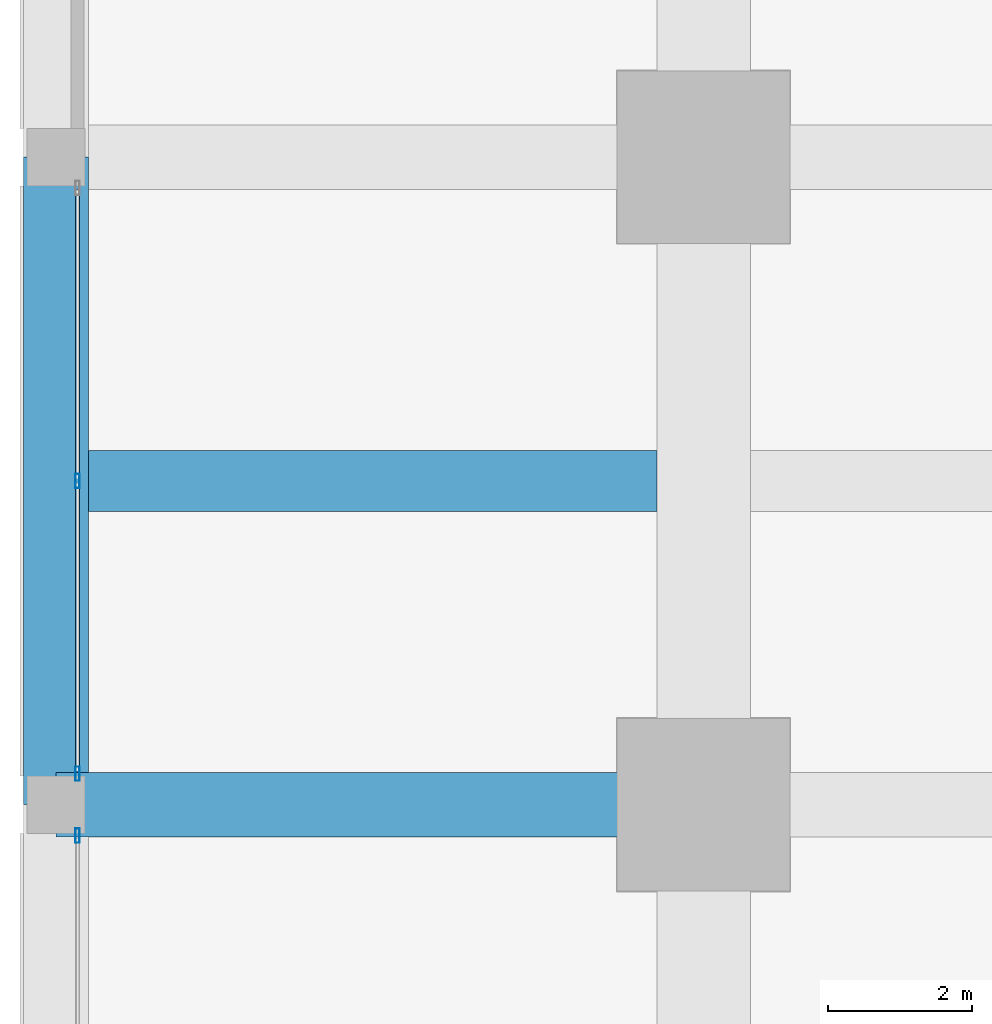
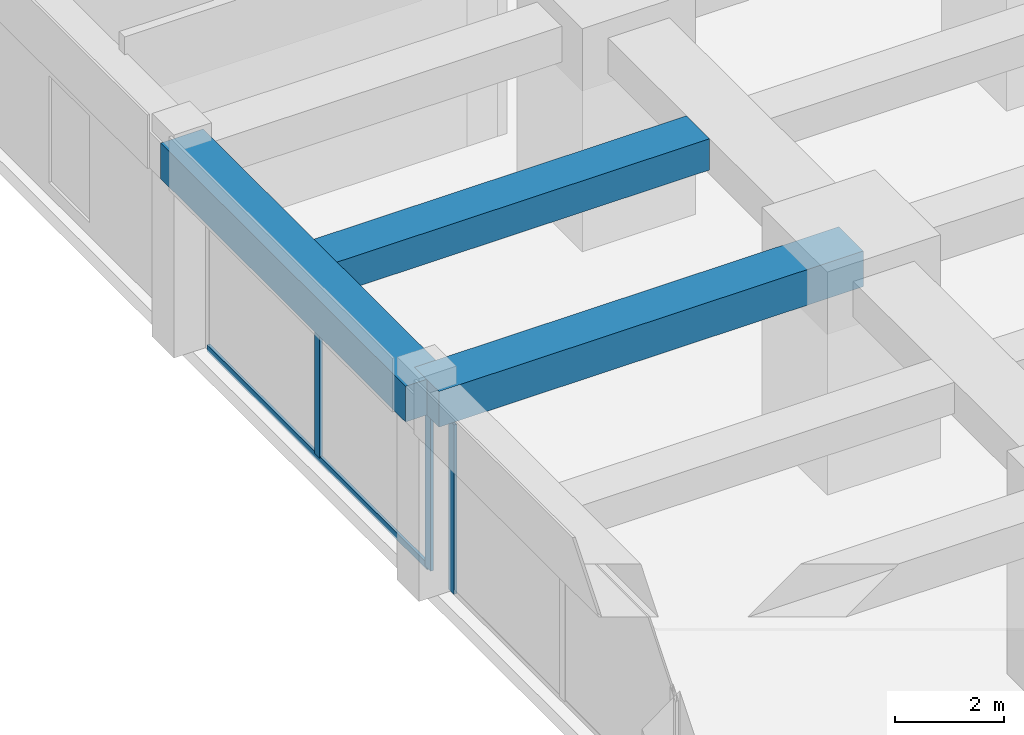
# One storey, part 11 of 46: 4 members, 3 beams, 2 elements without a shape of their own.
"""IFC4 building model written with IfcOpenShell, lengths in metres."""

import ifcopenshell
import ifcopenshell.guid

model = None  # the IFC model being written
_history = None  # IfcOwnerHistory: only IFC2X3 demands one
_inside = {}  # id of a spatial element -> (the spatial element, [elements in it])
_under = {}  # id of a project, library or spatial element -> (it, [spatial elements below it])
_declared = {}  # id of a project -> (the project, [libraries it declares])
_typed = {}  # id of a type object -> (the type object, [elements of that type])
_made_of = {}  # id of a material, layer set ... -> (it, [elements and type objects made of it])


def new_model(schema):
    """Start an empty IFC model of exactly this schema.

    Asked for "IFC4X3", IfcOpenShell would pick the latest addendum, in which some entities
    have other attributes; the version numbers below select the first issue.
    IFC2X3 requires an IfcOwnerHistory on every rooted entity: one is made here for all.
    """
    global model, _history
    if schema == "IFC4X3":
        model = ifcopenshell.file(schema_version=(4, 3, 0, 0))
    else:
        model = ifcopenshell.file(schema=schema)
    _inside.clear()
    _under.clear()
    _declared.clear()
    _typed.clear()
    _made_of.clear()
    _history = None
    if model.schema == "IFC2X3":
        org = make("IfcOrganization", Name="unknown")
        user = make(
            "IfcPersonAndOrganization",
            ThePerson=make("IfcPerson", FamilyName="unknown"),
            TheOrganization=org,
        )
        app = make(
            "IfcApplication",
            ApplicationDeveloper=org,
            Version="unknown",
            ApplicationFullName="unknown",
            ApplicationIdentifier="unknown",
        )
        _history = make(
            "IfcOwnerHistory",
            OwningUser=user,
            OwningApplication=app,
            ChangeAction="ADDED",
            CreationDate=0,
        )
    return model


def make(cls, **values):
    """One entity of the class cls with the attributes given. An attribute that is None is left unset."""
    return model.create_entity(
        cls, **{name: value for name, value in values.items() if value is not None}
    )


def rooted(cls, **values):
    """An entity with a GlobalId (a new one), such as an element, a storey or a relation."""
    return make(cls, GlobalId=ifcopenshell.guid.new(), OwnerHistory=_history, **values)


def si_unit(unit_type, name, prefix=None):
    """IfcSIUnit, for example si_unit("LENGTHUNIT", "METRE", prefix="MILLI")."""
    return make("IfcSIUnit", UnitType=unit_type, Prefix=prefix, Name=name)


def assignment(units):
    """IfcUnitAssignment: the units of a project."""
    return None if units is None else make("IfcUnitAssignment", Units=units)


def point(xyz):
    """IfcCartesianPoint."""
    return None if xyz is None else make("IfcCartesianPoint", Coordinates=xyz)


def direction(xyz):
    """IfcDirection."""
    return None if xyz is None else make("IfcDirection", DirectionRatios=xyz)


def frame(location, z_axis=None, x_axis=None):
    """IfcAxis2Placement3D, a coordinate frame: its origin and axes. An axis left out is left unset."""
    return make(
        "IfcAxis2Placement3D",
        Location=point(location),
        Axis=direction(z_axis),
        RefDirection=direction(x_axis),
    )


def frame_2d(location, x_axis=None):
    """IfcAxis2Placement2D, a coordinate frame in the plane: its origin and x axis."""
    return make(
        "IfcAxis2Placement2D", Location=point(location), RefDirection=direction(x_axis)
    )


def origin():
    """The frame at (0, 0, 0) with its axes left unset."""
    return frame((0.0, 0.0, 0.0))


def origin_2d():
    """The frame at (0, 0) in the plane with its x axis left unset."""
    return frame_2d((0.0, 0.0))


def place(relative_to, where):
    """IfcLocalPlacement: puts the frame where relative to a parent placement (None: the world)."""
    return make(
        "IfcLocalPlacement", PlacementRelTo=relative_to, RelativePlacement=where
    )


def context(
    kind, dimensions, precision=None, world=None, true_north=None, identifier=None
):
    """IfcGeometricRepresentationContext, for example the 3D "Model" context."""
    return make(
        "IfcGeometricRepresentationContext",
        ContextIdentifier=identifier,
        ContextType=kind,
        CoordinateSpaceDimension=dimensions,
        Precision=precision,
        WorldCoordinateSystem=world,
        TrueNorth=true_north,
    )


def subcontext(parent, identifier, kind, view, scale=None):
    """IfcGeometricRepresentationSubContext, for example "Body" below "Model"."""
    return make(
        "IfcGeometricRepresentationSubContext",
        ContextIdentifier=identifier,
        ContextType=kind,
        ParentContext=parent,
        TargetScale=scale,
        TargetView=view,
    )


def project(units=None, contexts=None):
    """IfcProject with its units and contexts."""
    return rooted(
        "IfcProject",
        Name="project",
        RepresentationContexts=contexts,
        UnitsInContext=assignment(units),
    )


def spatial(cls, under=None, at=None, **own):
    """A site, building, storey or space (cls), placed at a placement, below another one or the project."""
    s = rooted(cls, ObjectPlacement=at, **own)
    if under is not None:
        _under.setdefault(under.id(), (under, []))[1].append(s)
    return s


def profile(cls, at=None, kind="AREA", **sizes):
    """A parametric profile (cls). Its sizes go by their IFC names, for example OverallWidth=200.0."""
    return make(cls, ProfileType=kind, Position=at, **sizes)


def rectangle(**sizes):
    """IfcRectangleProfileDef."""
    return profile("IfcRectangleProfileDef", **sizes)


def hollow_rectangle(**sizes):
    """IfcRectangleHollowProfileDef."""
    return profile("IfcRectangleHollowProfileDef", **sizes)


def extrude(swept, where, along, depth):
    """IfcExtrudedAreaSolid: the profile swept, set in the frame where, extruded along a direction by depth."""
    return make(
        "IfcExtrudedAreaSolid",
        SweptArea=swept,
        Position=where,
        ExtrudedDirection=direction(along),
        Depth=depth,
    )


def shape(context_of_items, identifier, shape_type, items):
    """IfcShapeRepresentation: the items that make up one representation, for example the "Body"."""
    return make(
        "IfcShapeRepresentation",
        ContextOfItems=context_of_items,
        RepresentationIdentifier=identifier,
        RepresentationType=shape_type,
        Items=items,
    )


def material(Name=None, Category=None):
    """IfcMaterial."""
    return make("IfcMaterial", Name=Name, Category=Category)


def material_profile(
    of_material, cross_section, Name=None, Category=None, Priority=None
):
    """IfcMaterialProfile: a cross section and its material."""
    return make(
        "IfcMaterialProfile",
        Name=Name,
        Material=of_material,
        Profile=cross_section,
        Priority=Priority,
        Category=Category,
    )


def profile_set(profiles, Name=None, composite=None):
    """IfcMaterialProfileSet."""
    return make(
        "IfcMaterialProfileSet",
        Name=Name,
        MaterialProfiles=profiles,
        CompositeProfile=composite,
    )


def made_of(thing, what):
    """Note that an element or type object is made of a material, layer set ...; save() writes the relation."""
    if what is not None:
        _made_of.setdefault(what.id(), (what, []))[1].append(thing)
    return thing


def type_object(cls, material=None, **own):
    """A type object (cls), such as IfcWallType, which elements share."""
    return made_of(rooted(cls, **own), material)


def element(
    cls,
    number,
    at=None,
    inside=None,
    cuts=None,
    type_object=None,
    material=None,
    context=None,
    identifier="Body",
    shape_type=None,
    held_by="IfcProductDefinitionShape",
    body=None,
    shapes=None,
    **own,
):
    """One element of the class cls, such as IfcWall. Its Tag is "e" and its number.

    at: its placement. inside: the storey or other place that contains it. cuts: it is an
    opening in that element (IfcRelVoidsElement). A single representation is given by context,
    identifier, shape_type and body (its items); several are given by shapes. held_by: the class
    of the entity that holds the representations. save() writes the other relations.
    """
    e = rooted(cls, Tag="e%d" % number, ObjectPlacement=at, **own)
    if body is not None:
        shapes = [shape(context, identifier, shape_type, body)]
    if shapes is not None:
        e.Representation = make(held_by, Representations=shapes)
    if inside is not None:
        _inside.setdefault(inside.id(), (inside, []))[1].append(e)
    if cuts is not None:
        rooted(
            "IfcRelVoidsElement", RelatingBuildingElement=cuts, RelatedOpeningElement=e
        )
    if type_object is not None:
        _typed.setdefault(type_object.id(), (type_object, []))[1].append(e)
    return made_of(e, material)


def aggregate(whole, parts):
    """IfcRelAggregates: a whole, such as a stair, and the parts it consists of."""
    return rooted("IfcRelAggregates", RelatingObject=whole, RelatedObjects=parts)


def save(model, path):
    """Write the relations noted so far, then the file.

    IfcRelAggregates (storeys below a building ...), IfcRelContainedInSpatialStructure (elements
    in a storey), IfcRelDefinesByType, IfcRelAssociatesMaterial and IfcRelDeclares: one each for
    every whole, place, type object, material and project.
    """
    for whole, parts in _under.values():
        aggregate(whole, parts)
    for where, things in _inside.values():
        rooted(
            "IfcRelContainedInSpatialStructure",
            RelatedElements=things,
            RelatingStructure=where,
        )
    for kind, things in _typed.values():
        rooted("IfcRelDefinesByType", RelatedObjects=things, RelatingType=kind)
    for what, things in _made_of.values():
        rooted("IfcRelAssociatesMaterial", RelatedObjects=things, RelatingMaterial=what)
    for by, libraries in _declared.values():
        rooted("IfcRelDeclares", RelatingContext=by, RelatedDefinitions=libraries)
    model.write(path)


model = new_model("IFC4")

# Units and contexts
model_context = context("Model", 3, precision=1e-05, world=origin(), true_north=direction((0.0, 1.0)))
body_context = subcontext(model_context, "Body", "Model", "MODEL_VIEW")
ifc_project = project(units=[si_unit("LENGTHUNIT", "METRE"), si_unit("AREAUNIT", "SQUARE_METRE"), si_unit("VOLUMEUNIT", "CUBIC_METRE"), si_unit("PLANEANGLEUNIT", "RADIAN"), si_unit("MASSUNIT", "GRAM", prefix="KILO")], contexts=[model_context])

# Site, building, storey
site_placement = place(None, origin())
site = spatial("IfcSite", under=ifc_project, at=site_placement, CompositionType="ELEMENT")
building_placement = place(site_placement, origin())
building = spatial("IfcBuilding", under=site, at=building_placement, Name="Zorevar Civic Tower", CompositionType="ELEMENT")
storey_placement = place(building_placement, frame((0.0, 0.0, 10.800048828125)))
storey = spatial("IfcBuildingStorey", under=building, at=storey_placement, Name="L02", CompositionType="ELEMENT", Elevation=10.800048828125)

# Beams
ifc_material_1 = material(Name="Concrete C50/60", Category="concrete")
ifc_material_profile_1 = material_profile(ifc_material_1, rectangle(XDim=0.85009765625, YDim=0.699951171875, at=origin_2d()), Name="RC 850x700")
ifc_profile_set_1 = profile_set([ifc_material_profile_1], Name="Concrete C50/60")
beam_type_1 = type_object("IfcBeamType", Name="Beam RC 850x700", PredefinedType="BEAM", material=ifc_profile_set_1)
beam_1_placement = place(storey_placement, frame((-8.550048828125, 31.5, 4.25), z_axis=(1.0, 0.0, 0.0), x_axis=(0.0, 1.0, 0.0)))
element("IfcBeam", 1, at=beam_1_placement, inside=storey, type_object=beam_type_1, Name="Secondary beam L03", PredefinedType="BEAM", context=body_context, shape_type="SweptSolid", body=[
    extrude(rectangle(XDim=0.85009765625, YDim=0.699951171875, at=origin_2d()), origin(), (0.0, 0.0, 1.0), 7.900146484375),
])
ifc_material_2 = material(Name="Concrete C50/60", Category="concrete")
ifc_material_profile_2 = material_profile(ifc_material_2, rectangle(XDim=0.89990234375, YDim=0.800048828125, at=origin_2d()), Name="RC 900x800")
ifc_profile_set_2 = profile_set([ifc_material_profile_2], Name="Concrete C50/60")
beam_type_2 = type_object("IfcBeamType", Name="Beam RC 900x800", PredefinedType="BEAM", material=ifc_profile_set_2)
beam_2_placement = place(storey_placement, frame((-9.0, 27.0, 4.199951171875), z_axis=(1.0, 0.0, 0.0), x_axis=(0.0, 1.0, 0.0)))
element("IfcBeam", 2, at=beam_2_placement, inside=storey, type_object=beam_type_2, Name="Girder L03", PredefinedType="BEAM", context=body_context, shape_type="SweptSolid", body=[
    extrude(rectangle(XDim=0.89990234375, YDim=0.800048828125, at=origin_2d()), origin(), (0.0, 0.0, 1.0), 9.0),
])

# Curtain wall, member
ifc_material_3 = material(Name="Dark grey solar-control glass in black aluminium frame", Category="aluminium")
curtain_wall_type = type_object("IfcCurtainWallType", Name="Curtain wall CW1 podium", PredefinedType="NOTDEFINED", material=ifc_material_3)
curtain_wall_1_placement = place(storey_placement, origin())
curtain_wall_1 = element("IfcCurtainWall", 3, at=curtain_wall_1_placement, inside=storey, type_object=curtain_wall_type, Name="CW1 L02", PredefinedType="NOTDEFINED")
ifc_material_4 = material(Name="Aluminium, black anodised", Category="aluminium")
ifc_material_profile_3 = material_profile(ifc_material_4, hollow_rectangle(XDim=0.06005859375, YDim=0.199951171875, WallThickness=0.00390625, at=origin_2d()), Name="AL 200x60x4")
ifc_profile_set_3 = profile_set([ifc_material_profile_3], Name="Aluminium, black anodised")
member_type_1 = type_object("IfcMemberType", Name="CW1 mullion AL 200x60x4", PredefinedType="MULLION", material=ifc_profile_set_3)
member_1_placement = place(storey_placement, frame((-8.699951171875, 26.570068359375, 0.0), z_axis=(0.0, 0.0, 1.0), x_axis=(-1.0, 0.0, 0.0)))
member_1 = element("IfcMember", 4, at=member_1_placement, type_object=member_type_1, Name="CW1 mullion 3", PredefinedType="MULLION", context=body_context, shape_type="SweptSolid", body=[
    extrude(hollow_rectangle(XDim=0.06005859375, YDim=0.199951171875, WallThickness=0.00390625, at=origin_2d()), origin(), (0.0, 0.0, 1.0), 3.800048828125),
])
aggregate(curtain_wall_1, [member_1])

# Curtain wall, members
curtain_wall_2_placement = place(storey_placement, origin())
curtain_wall_2 = element("IfcCurtainWall", 5, at=curtain_wall_2_placement, inside=storey, type_object=curtain_wall_type, Name="CW1 L02", PredefinedType="NOTDEFINED")
member_2_placement = place(storey_placement, frame((-8.699951171875, 27.429931640625, 0.0), z_axis=(0.0, 0.0, 1.0), x_axis=(-1.0, 0.0, 0.0)))
member_2 = element("IfcMember", 6, at=member_2_placement, type_object=member_type_1, Name="CW1 mullion 1", PredefinedType="MULLION", context=body_context, shape_type="SweptSolid", body=[
    extrude(hollow_rectangle(XDim=0.06005859375, YDim=0.199951171875, WallThickness=0.00390625, at=origin_2d()), origin(), (0.0, 0.0, 1.0), 3.800048828125),
])
member_3_placement = place(storey_placement, frame((-8.699951171875, 31.5, 0.06005859375), z_axis=(0.0, 0.0, 1.0), x_axis=(-1.0, 0.0, 0.0)))
member_3 = element("IfcMember", 7, at=member_3_placement, type_object=member_type_1, Name="CW1 mullion 2", PredefinedType="MULLION", context=body_context, shape_type="SweptSolid", body=[
    extrude(hollow_rectangle(XDim=0.06005859375, YDim=0.199951171875, WallThickness=0.00390625, at=origin_2d()), origin(), (0.0, 0.0, 1.0), 3.739990234375),
])
ifc_material_5 = material(Name="Aluminium, black anodised", Category="aluminium")
ifc_material_profile_4 = material_profile(ifc_material_5, hollow_rectangle(XDim=0.06005859375, YDim=0.14990234375, WallThickness=0.00390625, at=origin_2d()), Name="AL 150x60x4")
ifc_profile_set_4 = profile_set([ifc_material_profile_4], Name="Aluminium, black anodised")
member_type_2 = type_object("IfcMemberType", Name="CW1 transom AL 150x60x4", PredefinedType="USERDEFINED", material=ifc_profile_set_4)
member_4_placement = place(storey_placement, frame((-8.699951171875, 27.4599609375, 0.030029296875), z_axis=(0.0, 1.0, 0.0), x_axis=(-1.0, 0.0, 0.0)))
member_4 = element("IfcMember", 8, at=member_4_placement, type_object=member_type_2, Name="CW1 sill transom", ObjectType="TRANSOM", PredefinedType="USERDEFINED", context=body_context, shape_type="SweptSolid", body=[
    extrude(hollow_rectangle(XDim=0.06005859375, YDim=0.14990234375, WallThickness=0.00390625, at=origin_2d()), origin(), (0.0, 0.0, 1.0), 8.080078125),
])
aggregate(curtain_wall_2, [member_2, member_3, member_4])

# Beam
ifc_material_6 = material(Name="Concrete C50/60", Category="concrete")
ifc_material_profile_5 = material_profile(ifc_material_6, rectangle(XDim=0.89990234375, YDim=0.800048828125, at=origin_2d()), Name="RC 900x800")
ifc_profile_set_5 = profile_set([ifc_material_profile_5], Name="Concrete C50/60")
beam_type_3 = type_object("IfcBeamType", Name="Edge beam RC 900x800", PredefinedType="SPANDREL", material=ifc_profile_set_5)
beam_3_placement = place(storey_placement, frame((-9.0, 27.0, 4.199951171875), z_axis=(0.0, 1.0, 0.0), x_axis=(-1.0, 0.0, 0.0)))
element("IfcBeam", 9, at=beam_3_placement, inside=storey, type_object=beam_type_3, Name="Edge beam L03", PredefinedType="SPANDREL", context=body_context, shape_type="SweptSolid", body=[
    extrude(rectangle(XDim=0.89990234375, YDim=0.800048828125, at=origin_2d()), origin(), (0.0, 0.0, 1.0), 9.0),
])

save(model, "model.ifc")
